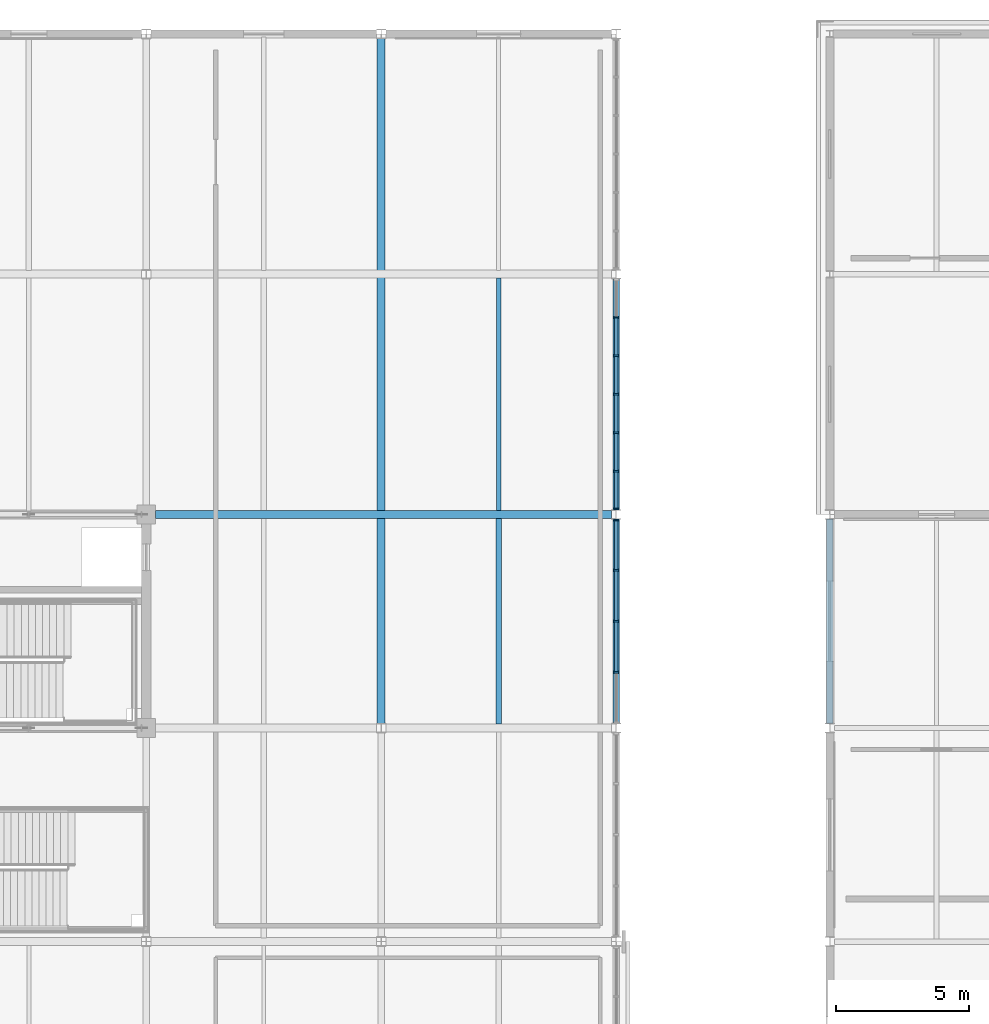
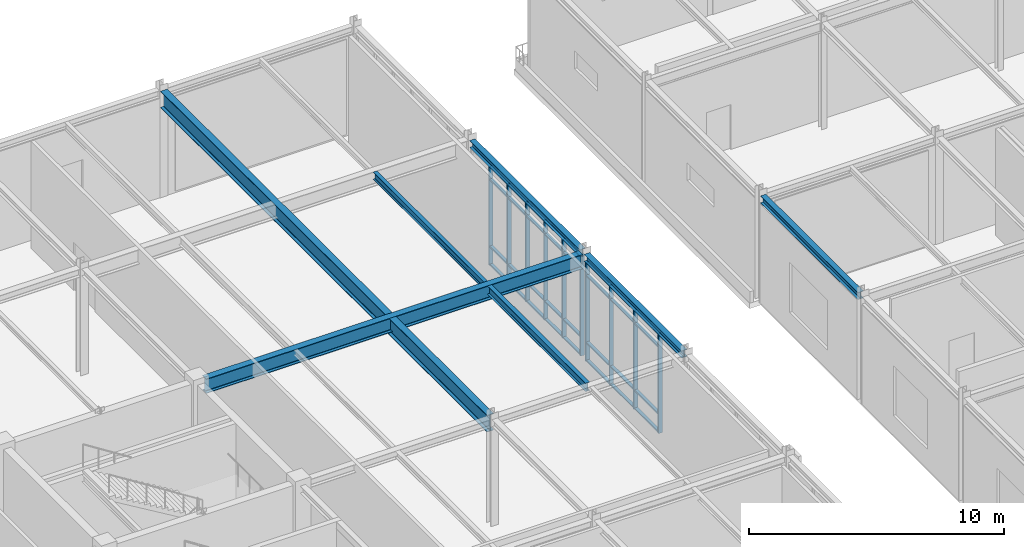
# One storey, part 42 of 108: 42 members, 7 beams, 2 elements without a shape of their own.
"""IFC4 building model written with IfcOpenShell, lengths in metres."""

from ifc_helpers import new_model, si_unit, direction, frame, origin, origin_2d, place, context, subcontext, project, spatial, rectangle, i_section, extrude, material, material_profile, profile_set, type_object, element, aggregate, save


model = new_model("IFC4")

# Units and contexts
model_context = context("Model", 3, precision=1e-05, world=origin(), true_north=direction((0.0, 1.0)))
body_context = subcontext(model_context, "Body", "Model", "MODEL_VIEW")
ifc_project = project(units=[si_unit("LENGTHUNIT", "METRE"), si_unit("AREAUNIT", "SQUARE_METRE"), si_unit("VOLUMEUNIT", "CUBIC_METRE"), si_unit("PLANEANGLEUNIT", "RADIAN"), si_unit("MASSUNIT", "GRAM", prefix="KILO")], contexts=[model_context])

# Site, building, storey
site_placement = place(None, origin())
site = spatial("IfcSite", under=ifc_project, at=site_placement, CompositionType="ELEMENT")
building_placement = place(site_placement, origin())
building = spatial("IfcBuilding", under=site, at=building_placement, Name="Zhaolan Boulevard Law Courts", CompositionType="ELEMENT")
storey_placement = place(building_placement, frame((0.0, 0.0, 10.800048828125)))
storey = spatial("IfcBuildingStorey", under=building, at=storey_placement, Name="L02", CompositionType="ELEMENT", Elevation=10.800048828125)

# Curtain wall, members
ifc_material_1 = material(Name="Thermally broken aluminium and low-E glazing", Category="aluminium")
curtain_wall_type_1 = type_object("IfcCurtainWallType", Name="CURTAIN WALL M24", PredefinedType="USERDEFINED", material=ifc_material_1)
curtain_wall_1_placement = place(storey_placement, origin())
curtain_wall_1 = element("IfcCurtainWall", 1, at=curtain_wall_1_placement, inside=storey, type_object=curtain_wall_type_1, Name="Curtain Wall CW-L02-120", ObjectType="CURTAIN WALL", PredefinedType="USERDEFINED")
ifc_material_2 = material(Name="Fluorocarbon-coated aluminium 6063-T6", Category="aluminium")
ifc_material_profile_1 = material_profile(ifc_material_2, rectangle(XDim=0.179931640625, YDim=0.06494140625, at=origin_2d()), Name="AL65x180")
ifc_profile_set_1 = profile_set([ifc_material_profile_1], Name="Fluorocarbon-coated aluminium 6063-T6")
member_type_1 = type_object("IfcMemberType", Name="CWMULLION 65X180", PredefinedType="MULLION", material=ifc_profile_set_1)
member_1_placement = place(storey_placement, frame((44.0, 88.08837890625, 0.0), z_axis=(0.0, 0.0, 1.0), x_axis=(-1.0, 0.0, 0.0)))
member_1 = element("IfcMember", 2, at=member_1_placement, type_object=member_type_1, Name="CW-L02-120 mullion 2", PredefinedType="MULLION", context=body_context, shape_type="SweptSolid", body=[
    extrude(rectangle(XDim=0.179931640625, YDim=0.06494140625, at=origin_2d()), origin(), (0.0, 0.0, 1.0), 4.762939453125),
])
member_2_placement = place(storey_placement, frame((44.0, 90.0, 0.0), z_axis=(0.0, 0.0, 1.0), x_axis=(-1.0, 0.0, 0.0)))
member_2 = element("IfcMember", 3, at=member_2_placement, type_object=member_type_1, Name="CW-L02-120 mullion 3", PredefinedType="MULLION", context=body_context, shape_type="SweptSolid", body=[
    extrude(rectangle(XDim=0.179931640625, YDim=0.06494140625, at=origin_2d()), origin(), (0.0, 0.0, 1.0), 4.762939453125),
])
member_3_placement = place(storey_placement, frame((44.0, 91.91162109375, 0.0), z_axis=(0.0, 0.0, 1.0), x_axis=(-1.0, 0.0, 0.0)))
member_3 = element("IfcMember", 4, at=member_3_placement, type_object=member_type_1, Name="CW-L02-120 mullion 4", PredefinedType="MULLION", context=body_context, shape_type="SweptSolid", body=[
    extrude(rectangle(XDim=0.179931640625, YDim=0.06494140625, at=origin_2d()), origin(), (0.0, 0.0, 1.0), 4.762939453125),
])
member_4_placement = place(storey_placement, frame((44.0, 93.79052734375, 0.0), z_axis=(0.0, 0.0, 1.0), x_axis=(-1.0, 0.0, 0.0)))
member_4 = element("IfcMember", 5, at=member_4_placement, type_object=member_type_1, Name="CW-L02-120 mullion 5", PredefinedType="MULLION", context=body_context, shape_type="SweptSolid", body=[
    extrude(rectangle(XDim=0.179931640625, YDim=0.06494140625, at=origin_2d()), origin(), (0.0, 0.0, 1.0), 4.762939453125),
])

ifc_material_3 = material(Name="Thermally broken aluminium and low-E glazing", Category="aluminium")
curtain_wall_type_2 = type_object("IfcCurtainWallType", Name="CURTAIN WALL M1", PredefinedType="USERDEFINED", material=ifc_material_3)
curtain_wall_2_placement = place(storey_placement, origin())
curtain_wall_2 = element("IfcCurtainWall", 6, at=curtain_wall_2_placement, inside=storey, type_object=curtain_wall_type_2, Name="Curtain Wall CW-L02-121", ObjectType="CURTAIN WALL", PredefinedType="USERDEFINED")
member_5_placement = place(storey_placement, frame((44.0, 94.20947265625, 0.0), z_axis=(0.0, 0.0, 1.0), x_axis=(-1.0, 0.0, 0.0)))
member_5 = element("IfcMember", 7, at=member_5_placement, type_object=member_type_1, Name="CW-L02-121 mullion 1", PredefinedType="MULLION", context=body_context, shape_type="SweptSolid", body=[
    extrude(rectangle(XDim=0.179931640625, YDim=0.06494140625, at=origin_2d()), origin(), (0.0, 0.0, 1.0), 4.762939453125),
])
member_6_placement = place(storey_placement, frame((44.0, 95.617919921875, 0.0), z_axis=(0.0, 0.0, 1.0), x_axis=(-1.0, 0.0, 0.0)))
member_6 = element("IfcMember", 8, at=member_6_placement, type_object=member_type_1, Name="CW-L02-121 mullion 2", PredefinedType="MULLION", context=body_context, shape_type="SweptSolid", body=[
    extrude(rectangle(XDim=0.179931640625, YDim=0.06494140625, at=origin_2d()), origin(), (0.0, 0.0, 1.0), 4.762939453125),
])
member_7_placement = place(storey_placement, frame((44.0, 97.05908203125, 0.0), z_axis=(0.0, 0.0, 1.0), x_axis=(-1.0, 0.0, 0.0)))
member_7 = element("IfcMember", 9, at=member_7_placement, type_object=member_type_1, Name="CW-L02-121 mullion 3", PredefinedType="MULLION", context=body_context, shape_type="SweptSolid", body=[
    extrude(rectangle(XDim=0.179931640625, YDim=0.06494140625, at=origin_2d()), origin(), (0.0, 0.0, 1.0), 4.762939453125),
])
member_8_placement = place(storey_placement, frame((44.0, 98.5, 0.0), z_axis=(0.0, 0.0, 1.0), x_axis=(-1.0, 0.0, 0.0)))
member_8 = element("IfcMember", 10, at=member_8_placement, type_object=member_type_1, Name="CW-L02-121 mullion 4", PredefinedType="MULLION", context=body_context, shape_type="SweptSolid", body=[
    extrude(rectangle(XDim=0.179931640625, YDim=0.06494140625, at=origin_2d()), origin(), (0.0, 0.0, 1.0), 4.762939453125),
])
member_9_placement = place(storey_placement, frame((44.0, 99.94091796875, 0.0), z_axis=(0.0, 0.0, 1.0), x_axis=(-1.0, 0.0, 0.0)))
member_9 = element("IfcMember", 11, at=member_9_placement, type_object=member_type_1, Name="CW-L02-121 mullion 5", PredefinedType="MULLION", context=body_context, shape_type="SweptSolid", body=[
    extrude(rectangle(XDim=0.179931640625, YDim=0.06494140625, at=origin_2d()), origin(), (0.0, 0.0, 1.0), 4.762939453125),
])
member_10_placement = place(storey_placement, frame((44.0, 101.382080078125, 0.0), z_axis=(0.0, 0.0, 1.0), x_axis=(-1.0, 0.0, 0.0)))
member_10 = element("IfcMember", 12, at=member_10_placement, type_object=member_type_1, Name="CW-L02-121 mullion 6", PredefinedType="MULLION", context=body_context, shape_type="SweptSolid", body=[
    extrude(rectangle(XDim=0.179931640625, YDim=0.06494140625, at=origin_2d()), origin(), (0.0, 0.0, 1.0), 4.762939453125),
])

# Member
ifc_material_4 = material(Name="Fluorocarbon-coated aluminium 6063-T6", Category="aluminium")
ifc_material_profile_2 = material_profile(ifc_material_4, rectangle(XDim=0.139892578125, YDim=0.06494140625, at=origin_2d()), Name="AL65x140")
ifc_profile_set_2 = profile_set([ifc_material_profile_2], Name="Fluorocarbon-coated aluminium 6063-T6")
member_type_2 = type_object("IfcMemberType", Name="CWTRANSOM 65X140", PredefinedType="USERDEFINED", material=ifc_profile_set_2)
member_11_placement = place(storey_placement, frame((44.0, 88.12109375, 0.032470703125), z_axis=(0.0, 1.0, 0.0), x_axis=(-1.0, 0.0, 0.0)))
member_11 = element("IfcMember", 13, at=member_11_placement, type_object=member_type_2, Name="CW-L02-120 transom 2.1", ObjectType="TRANSOM", PredefinedType="USERDEFINED", context=body_context, shape_type="SweptSolid", body=[
    extrude(rectangle(XDim=0.139892578125, YDim=0.06494140625, at=origin_2d()), origin(), (0.0, 0.0, 1.0), 1.846435546875),
])

member_12_placement = place(storey_placement, frame((44.0, 88.12109375, 0.89990234375), z_axis=(0.0, 1.0, 0.0), x_axis=(-1.0, 0.0, 0.0)))
member_12 = element("IfcMember", 14, at=member_12_placement, type_object=member_type_2, Name="CW-L02-120 transom 2.2", ObjectType="TRANSOM", PredefinedType="USERDEFINED", context=body_context, shape_type="SweptSolid", body=[
    extrude(rectangle(XDim=0.139892578125, YDim=0.06494140625, at=origin_2d()), origin(), (0.0, 0.0, 1.0), 1.846435546875),
])

member_13_placement = place(storey_placement, frame((44.0, 88.12109375, 4.113037109375), z_axis=(0.0, 1.0, 0.0), x_axis=(-1.0, 0.0, 0.0)))
member_13 = element("IfcMember", 15, at=member_13_placement, type_object=member_type_2, Name="CW-L02-120 transom 2.3", ObjectType="TRANSOM", PredefinedType="USERDEFINED", context=body_context, shape_type="SweptSolid", body=[
    extrude(rectangle(XDim=0.139892578125, YDim=0.06494140625, at=origin_2d()), origin(), (0.0, 0.0, 1.0), 1.846435546875),
])

member_14_placement = place(storey_placement, frame((44.0, 88.12109375, 4.73046875), z_axis=(0.0, 1.0, 0.0), x_axis=(-1.0, 0.0, 0.0)))
member_14 = element("IfcMember", 16, at=member_14_placement, type_object=member_type_2, Name="CW-L02-120 transom 2.4", ObjectType="TRANSOM", PredefinedType="USERDEFINED", context=body_context, shape_type="SweptSolid", body=[
    extrude(rectangle(XDim=0.139892578125, YDim=0.06494140625, at=origin_2d()), origin(), (0.0, 0.0, 1.0), 1.846435546875),
])

member_15_placement = place(storey_placement, frame((44.0, 90.032470703125, 0.032470703125), z_axis=(0.0, 1.0, 0.0), x_axis=(-1.0, 0.0, 0.0)))
member_15 = element("IfcMember", 17, at=member_15_placement, type_object=member_type_2, Name="CW-L02-120 transom 3.1", ObjectType="TRANSOM", PredefinedType="USERDEFINED", context=body_context, shape_type="SweptSolid", body=[
    extrude(rectangle(XDim=0.139892578125, YDim=0.06494140625, at=origin_2d()), origin(), (0.0, 0.0, 1.0), 1.846435546875),
])

member_16_placement = place(storey_placement, frame((44.0, 90.032470703125, 0.89990234375), z_axis=(0.0, 1.0, 0.0), x_axis=(-1.0, 0.0, 0.0)))
member_16 = element("IfcMember", 18, at=member_16_placement, type_object=member_type_2, Name="CW-L02-120 transom 3.2", ObjectType="TRANSOM", PredefinedType="USERDEFINED", context=body_context, shape_type="SweptSolid", body=[
    extrude(rectangle(XDim=0.139892578125, YDim=0.06494140625, at=origin_2d()), origin(), (0.0, 0.0, 1.0), 1.846435546875),
])

member_17_placement = place(storey_placement, frame((44.0, 90.032470703125, 4.113037109375), z_axis=(0.0, 1.0, 0.0), x_axis=(-1.0, 0.0, 0.0)))
member_17 = element("IfcMember", 19, at=member_17_placement, type_object=member_type_2, Name="CW-L02-120 transom 3.3", ObjectType="TRANSOM", PredefinedType="USERDEFINED", context=body_context, shape_type="SweptSolid", body=[
    extrude(rectangle(XDim=0.139892578125, YDim=0.06494140625, at=origin_2d()), origin(), (0.0, 0.0, 1.0), 1.846435546875),
])

member_18_placement = place(storey_placement, frame((44.0, 90.032470703125, 4.73046875), z_axis=(0.0, 1.0, 0.0), x_axis=(-1.0, 0.0, 0.0)))
member_18 = element("IfcMember", 20, at=member_18_placement, type_object=member_type_2, Name="CW-L02-120 transom 3.4", ObjectType="TRANSOM", PredefinedType="USERDEFINED", context=body_context, shape_type="SweptSolid", body=[
    extrude(rectangle(XDim=0.139892578125, YDim=0.06494140625, at=origin_2d()), origin(), (0.0, 0.0, 1.0), 1.846435546875),
])

member_19_placement = place(storey_placement, frame((44.0, 91.944091796875, 0.032470703125), z_axis=(0.0, 1.0, 0.0), x_axis=(-1.0, 0.0, 0.0)))
member_19 = element("IfcMember", 21, at=member_19_placement, type_object=member_type_2, Name="CW-L02-120 transom 4.1", ObjectType="TRANSOM", PredefinedType="USERDEFINED", context=body_context, shape_type="SweptSolid", body=[
    extrude(rectangle(XDim=0.139892578125, YDim=0.06494140625, at=origin_2d()), origin(), (0.0, 0.0, 1.0), 1.81396484375),
])

member_20_placement = place(storey_placement, frame((44.0, 91.944091796875, 0.89990234375), z_axis=(0.0, 1.0, 0.0), x_axis=(-1.0, 0.0, 0.0)))
member_20 = element("IfcMember", 22, at=member_20_placement, type_object=member_type_2, Name="CW-L02-120 transom 4.2", ObjectType="TRANSOM", PredefinedType="USERDEFINED", context=body_context, shape_type="SweptSolid", body=[
    extrude(rectangle(XDim=0.139892578125, YDim=0.06494140625, at=origin_2d()), origin(), (0.0, 0.0, 1.0), 1.81396484375),
])

member_21_placement = place(storey_placement, frame((44.0, 91.944091796875, 4.113037109375), z_axis=(0.0, 1.0, 0.0), x_axis=(-1.0, 0.0, 0.0)))
member_21 = element("IfcMember", 23, at=member_21_placement, type_object=member_type_2, Name="CW-L02-120 transom 4.3", ObjectType="TRANSOM", PredefinedType="USERDEFINED", context=body_context, shape_type="SweptSolid", body=[
    extrude(rectangle(XDim=0.139892578125, YDim=0.06494140625, at=origin_2d()), origin(), (0.0, 0.0, 1.0), 1.81396484375),
])

member_22_placement = place(storey_placement, frame((44.0, 91.944091796875, 4.73046875), z_axis=(0.0, 1.0, 0.0), x_axis=(-1.0, 0.0, 0.0)))
member_22 = element("IfcMember", 24, at=member_22_placement, type_object=member_type_2, Name="CW-L02-120 transom 4.4", ObjectType="TRANSOM", PredefinedType="USERDEFINED", context=body_context, shape_type="SweptSolid", body=[
    extrude(rectangle(XDim=0.139892578125, YDim=0.06494140625, at=origin_2d()), origin(), (0.0, 0.0, 1.0), 1.81396484375),
])

aggregate(curtain_wall_1, [member_1, member_2, member_3, member_4, member_11, member_12, member_13, member_14, member_15, member_16, member_17, member_18, member_19, member_20, member_21, member_22])

member_23_placement = place(storey_placement, frame((44.0, 94.241943359375, 0.032470703125), z_axis=(0.0, 1.0, 0.0), x_axis=(-1.0, 0.0, 0.0)))
member_23 = element("IfcMember", 25, at=member_23_placement, type_object=member_type_2, Name="CW-L02-121 transom 1.1", ObjectType="TRANSOM", PredefinedType="USERDEFINED", context=body_context, shape_type="SweptSolid", body=[
    extrude(rectangle(XDim=0.139892578125, YDim=0.06494140625, at=origin_2d()), origin(), (0.0, 0.0, 1.0), 1.343505859375),
])

member_24_placement = place(storey_placement, frame((44.0, 94.241943359375, 0.89990234375), z_axis=(0.0, 1.0, 0.0), x_axis=(-1.0, 0.0, 0.0)))
member_24 = element("IfcMember", 26, at=member_24_placement, type_object=member_type_2, Name="CW-L02-121 transom 1.2", ObjectType="TRANSOM", PredefinedType="USERDEFINED", context=body_context, shape_type="SweptSolid", body=[
    extrude(rectangle(XDim=0.139892578125, YDim=0.06494140625, at=origin_2d()), origin(), (0.0, 0.0, 1.0), 1.343505859375),
])

member_25_placement = place(storey_placement, frame((44.0, 94.241943359375, 4.113037109375), z_axis=(0.0, 1.0, 0.0), x_axis=(-1.0, 0.0, 0.0)))
member_25 = element("IfcMember", 27, at=member_25_placement, type_object=member_type_2, Name="CW-L02-121 transom 1.3", ObjectType="TRANSOM", PredefinedType="USERDEFINED", context=body_context, shape_type="SweptSolid", body=[
    extrude(rectangle(XDim=0.139892578125, YDim=0.06494140625, at=origin_2d()), origin(), (0.0, 0.0, 1.0), 1.343505859375),
])

member_26_placement = place(storey_placement, frame((44.0, 94.241943359375, 4.73046875), z_axis=(0.0, 1.0, 0.0), x_axis=(-1.0, 0.0, 0.0)))
member_26 = element("IfcMember", 28, at=member_26_placement, type_object=member_type_2, Name="CW-L02-121 transom 1.4", ObjectType="TRANSOM", PredefinedType="USERDEFINED", context=body_context, shape_type="SweptSolid", body=[
    extrude(rectangle(XDim=0.139892578125, YDim=0.06494140625, at=origin_2d()), origin(), (0.0, 0.0, 1.0), 1.343505859375),
])

member_27_placement = place(storey_placement, frame((44.0, 95.650390625, 0.032470703125), z_axis=(0.0, 1.0, 0.0), x_axis=(-1.0, 0.0, 0.0)))
member_27 = element("IfcMember", 29, at=member_27_placement, type_object=member_type_2, Name="CW-L02-121 transom 2.1", ObjectType="TRANSOM", PredefinedType="USERDEFINED", context=body_context, shape_type="SweptSolid", body=[
    extrude(rectangle(XDim=0.139892578125, YDim=0.06494140625, at=origin_2d()), origin(), (0.0, 0.0, 1.0), 1.376220703125),
])

member_28_placement = place(storey_placement, frame((44.0, 95.650390625, 0.89990234375), z_axis=(0.0, 1.0, 0.0), x_axis=(-1.0, 0.0, 0.0)))
member_28 = element("IfcMember", 30, at=member_28_placement, type_object=member_type_2, Name="CW-L02-121 transom 2.2", ObjectType="TRANSOM", PredefinedType="USERDEFINED", context=body_context, shape_type="SweptSolid", body=[
    extrude(rectangle(XDim=0.139892578125, YDim=0.06494140625, at=origin_2d()), origin(), (0.0, 0.0, 1.0), 1.376220703125),
])

member_29_placement = place(storey_placement, frame((44.0, 95.650390625, 4.113037109375), z_axis=(0.0, 1.0, 0.0), x_axis=(-1.0, 0.0, 0.0)))
member_29 = element("IfcMember", 31, at=member_29_placement, type_object=member_type_2, Name="CW-L02-121 transom 2.3", ObjectType="TRANSOM", PredefinedType="USERDEFINED", context=body_context, shape_type="SweptSolid", body=[
    extrude(rectangle(XDim=0.139892578125, YDim=0.06494140625, at=origin_2d()), origin(), (0.0, 0.0, 1.0), 1.376220703125),
])

member_30_placement = place(storey_placement, frame((44.0, 95.650390625, 4.73046875), z_axis=(0.0, 1.0, 0.0), x_axis=(-1.0, 0.0, 0.0)))
member_30 = element("IfcMember", 32, at=member_30_placement, type_object=member_type_2, Name="CW-L02-121 transom 2.4", ObjectType="TRANSOM", PredefinedType="USERDEFINED", context=body_context, shape_type="SweptSolid", body=[
    extrude(rectangle(XDim=0.139892578125, YDim=0.06494140625, at=origin_2d()), origin(), (0.0, 0.0, 1.0), 1.376220703125),
])

member_31_placement = place(storey_placement, frame((44.0, 97.091552734375, 0.032470703125), z_axis=(0.0, 1.0, 0.0), x_axis=(-1.0, 0.0, 0.0)))
member_31 = element("IfcMember", 33, at=member_31_placement, type_object=member_type_2, Name="CW-L02-121 transom 3.1", ObjectType="TRANSOM", PredefinedType="USERDEFINED", context=body_context, shape_type="SweptSolid", body=[
    extrude(rectangle(XDim=0.139892578125, YDim=0.06494140625, at=origin_2d()), origin(), (0.0, 0.0, 1.0), 1.3759765625),
])

member_32_placement = place(storey_placement, frame((44.0, 97.091552734375, 0.89990234375), z_axis=(0.0, 1.0, 0.0), x_axis=(-1.0, 0.0, 0.0)))
member_32 = element("IfcMember", 34, at=member_32_placement, type_object=member_type_2, Name="CW-L02-121 transom 3.2", ObjectType="TRANSOM", PredefinedType="USERDEFINED", context=body_context, shape_type="SweptSolid", body=[
    extrude(rectangle(XDim=0.139892578125, YDim=0.06494140625, at=origin_2d()), origin(), (0.0, 0.0, 1.0), 1.3759765625),
])

member_33_placement = place(storey_placement, frame((44.0, 97.091552734375, 4.113037109375), z_axis=(0.0, 1.0, 0.0), x_axis=(-1.0, 0.0, 0.0)))
member_33 = element("IfcMember", 35, at=member_33_placement, type_object=member_type_2, Name="CW-L02-121 transom 3.3", ObjectType="TRANSOM", PredefinedType="USERDEFINED", context=body_context, shape_type="SweptSolid", body=[
    extrude(rectangle(XDim=0.139892578125, YDim=0.06494140625, at=origin_2d()), origin(), (0.0, 0.0, 1.0), 1.3759765625),
])

member_34_placement = place(storey_placement, frame((44.0, 97.091552734375, 4.73046875), z_axis=(0.0, 1.0, 0.0), x_axis=(-1.0, 0.0, 0.0)))
member_34 = element("IfcMember", 36, at=member_34_placement, type_object=member_type_2, Name="CW-L02-121 transom 3.4", ObjectType="TRANSOM", PredefinedType="USERDEFINED", context=body_context, shape_type="SweptSolid", body=[
    extrude(rectangle(XDim=0.139892578125, YDim=0.06494140625, at=origin_2d()), origin(), (0.0, 0.0, 1.0), 1.3759765625),
])

member_35_placement = place(storey_placement, frame((44.0, 98.532470703125, 0.032470703125), z_axis=(0.0, 1.0, 0.0), x_axis=(-1.0, 0.0, 0.0)))
member_35 = element("IfcMember", 37, at=member_35_placement, type_object=member_type_2, Name="CW-L02-121 transom 4.1", ObjectType="TRANSOM", PredefinedType="USERDEFINED", context=body_context, shape_type="SweptSolid", body=[
    extrude(rectangle(XDim=0.139892578125, YDim=0.06494140625, at=origin_2d()), origin(), (0.0, 0.0, 1.0), 1.3759765625),
])

member_36_placement = place(storey_placement, frame((44.0, 98.532470703125, 0.89990234375), z_axis=(0.0, 1.0, 0.0), x_axis=(-1.0, 0.0, 0.0)))
member_36 = element("IfcMember", 38, at=member_36_placement, type_object=member_type_2, Name="CW-L02-121 transom 4.2", ObjectType="TRANSOM", PredefinedType="USERDEFINED", context=body_context, shape_type="SweptSolid", body=[
    extrude(rectangle(XDim=0.139892578125, YDim=0.06494140625, at=origin_2d()), origin(), (0.0, 0.0, 1.0), 1.3759765625),
])

member_37_placement = place(storey_placement, frame((44.0, 98.532470703125, 4.113037109375), z_axis=(0.0, 1.0, 0.0), x_axis=(-1.0, 0.0, 0.0)))
member_37 = element("IfcMember", 39, at=member_37_placement, type_object=member_type_2, Name="CW-L02-121 transom 4.3", ObjectType="TRANSOM", PredefinedType="USERDEFINED", context=body_context, shape_type="SweptSolid", body=[
    extrude(rectangle(XDim=0.139892578125, YDim=0.06494140625, at=origin_2d()), origin(), (0.0, 0.0, 1.0), 1.3759765625),
])

member_38_placement = place(storey_placement, frame((44.0, 98.532470703125, 4.73046875), z_axis=(0.0, 1.0, 0.0), x_axis=(-1.0, 0.0, 0.0)))
member_38 = element("IfcMember", 40, at=member_38_placement, type_object=member_type_2, Name="CW-L02-121 transom 4.4", ObjectType="TRANSOM", PredefinedType="USERDEFINED", context=body_context, shape_type="SweptSolid", body=[
    extrude(rectangle(XDim=0.139892578125, YDim=0.06494140625, at=origin_2d()), origin(), (0.0, 0.0, 1.0), 1.3759765625),
])

member_39_placement = place(storey_placement, frame((44.0, 99.973388671875, 0.032470703125), z_axis=(0.0, 1.0, 0.0), x_axis=(-1.0, 0.0, 0.0)))
member_39 = element("IfcMember", 41, at=member_39_placement, type_object=member_type_2, Name="CW-L02-121 transom 5.1", ObjectType="TRANSOM", PredefinedType="USERDEFINED", context=body_context, shape_type="SweptSolid", body=[
    extrude(rectangle(XDim=0.139892578125, YDim=0.06494140625, at=origin_2d()), origin(), (0.0, 0.0, 1.0), 1.376220703125),
])

member_40_placement = place(storey_placement, frame((44.0, 99.973388671875, 0.89990234375), z_axis=(0.0, 1.0, 0.0), x_axis=(-1.0, 0.0, 0.0)))
member_40 = element("IfcMember", 42, at=member_40_placement, type_object=member_type_2, Name="CW-L02-121 transom 5.2", ObjectType="TRANSOM", PredefinedType="USERDEFINED", context=body_context, shape_type="SweptSolid", body=[
    extrude(rectangle(XDim=0.139892578125, YDim=0.06494140625, at=origin_2d()), origin(), (0.0, 0.0, 1.0), 1.376220703125),
])

member_41_placement = place(storey_placement, frame((44.0, 99.973388671875, 4.113037109375), z_axis=(0.0, 1.0, 0.0), x_axis=(-1.0, 0.0, 0.0)))
member_41 = element("IfcMember", 43, at=member_41_placement, type_object=member_type_2, Name="CW-L02-121 transom 5.3", ObjectType="TRANSOM", PredefinedType="USERDEFINED", context=body_context, shape_type="SweptSolid", body=[
    extrude(rectangle(XDim=0.139892578125, YDim=0.06494140625, at=origin_2d()), origin(), (0.0, 0.0, 1.0), 1.376220703125),
])

member_42_placement = place(storey_placement, frame((44.0, 99.973388671875, 4.73046875), z_axis=(0.0, 1.0, 0.0), x_axis=(-1.0, 0.0, 0.0)))
member_42 = element("IfcMember", 44, at=member_42_placement, type_object=member_type_2, Name="CW-L02-121 transom 5.4", ObjectType="TRANSOM", PredefinedType="USERDEFINED", context=body_context, shape_type="SweptSolid", body=[
    extrude(rectangle(XDim=0.139892578125, YDim=0.06494140625, at=origin_2d()), origin(), (0.0, 0.0, 1.0), 1.376220703125),
])

aggregate(curtain_wall_2, [member_5, member_6, member_7, member_8, member_9, member_10, member_23, member_24, member_25, member_26, member_27, member_28, member_29, member_30, member_31, member_32, member_33, member_34, member_35, member_36, member_37, member_38, member_39, member_40, member_41, member_42])

# Beams
ifc_material_5 = material(Name="Structural steel Q355B", Category="steel")
ifc_material_profile_3 = material_profile(ifc_material_5, i_section(OverallWidth=0.25, OverallDepth=0.340087890625, WebThickness=0.009033203125, FlangeThickness=0.013916015625, FilletRadius=0.01611328125, at=origin_2d()), Name="HM340x250")
ifc_profile_set_3 = profile_set([ifc_material_profile_3], Name="Structural steel Q355B")
beam_type_1 = type_object("IfcBeamType", Name="GIRDER HM340", PredefinedType="BEAM", material=ifc_profile_set_3)
beam_1_placement = place(storey_placement, frame((44.0, 86.1708984375, 4.947998046875), z_axis=(0.0, 1.0, 0.0), x_axis=(-1.0, 0.0, 0.0)))
element("IfcBeam", 45, at=beam_1_placement, inside=storey, type_object=beam_type_1, Name="Beam BY-L03-6-M-N", PredefinedType="BEAM", context=body_context, shape_type="SweptSolid", body=[
    extrude(i_section(OverallWidth=0.25, OverallDepth=0.340087890625, WebThickness=0.009033203125, FlangeThickness=0.013916015625, FilletRadius=0.01611328125, at=origin_2d()), origin(), (0.0, 0.0, 1.0), 7.658203125),
])
beam_2_placement = place(storey_placement, frame((44.0, 94.1708984375, 4.947998046875), z_axis=(0.0, 1.0, 0.0), x_axis=(-1.0, 0.0, 0.0)))
element("IfcBeam", 46, at=beam_2_placement, inside=storey, type_object=beam_type_1, Name="Beam BY-L03-6-N-P", PredefinedType="BEAM", context=body_context, shape_type="SweptSolid", body=[
    extrude(i_section(OverallWidth=0.25, OverallDepth=0.340087890625, WebThickness=0.009033203125, FlangeThickness=0.013916015625, FilletRadius=0.01611328125, at=origin_2d()), origin(), (0.0, 0.0, 1.0), 8.658203125),
])
beam_3_placement = place(storey_placement, frame((52.0, 86.1708984375, 4.947998046875), z_axis=(0.0, 1.0, 0.0), x_axis=(-1.0, 0.0, 0.0)))
element("IfcBeam", 47, at=beam_3_placement, inside=storey, type_object=beam_type_1, Name="Beam BY-L03-7-M-N", PredefinedType="BEAM", context=body_context, shape_type="SweptSolid", body=[
    extrude(i_section(OverallWidth=0.25, OverallDepth=0.340087890625, WebThickness=0.009033203125, FlangeThickness=0.013916015625, FilletRadius=0.01611328125, at=origin_2d()), origin(), (0.0, 0.0, 1.0), 7.658203125),
])
ifc_material_6 = material(Name="Structural steel Q390B", Category="steel")
ifc_material_profile_4 = material_profile(ifc_material_6, i_section(OverallWidth=0.300048828125, OverallDepth=0.699951171875, WebThickness=0.012939453125, FlangeThickness=0.02392578125, FilletRadius=0.02392578125, at=origin_2d()), Name="HN700x300")
ifc_profile_set_4 = profile_set([ifc_material_profile_4], Name="Structural steel Q390B")
beam_type_2 = type_object("IfcBeamType", Name="GIRDER HN700", PredefinedType="BEAM", material=ifc_profile_set_4)
beam_4_placement = place(storey_placement, frame((26.74609375, 94.0, 4.76806640625), z_axis=(1.0, 0.0, 0.0), x_axis=(0.0, 1.0, 0.0)))
element("IfcBeam", 48, at=beam_4_placement, inside=storey, type_object=beam_type_2, Name="Beam BX-L03-4-6-N", PredefinedType="BEAM", context=body_context, shape_type="SweptSolid", body=[
    extrude(i_section(OverallWidth=0.300048828125, OverallDepth=0.699951171875, WebThickness=0.012939453125, FlangeThickness=0.02392578125, FilletRadius=0.02392578125, at=origin_2d()), origin(), (0.0, 0.0, 1.0), 17.0830078125),
])
ifc_material_7 = material(Name="Structural steel Q390B", Category="steel")
ifc_material_profile_5 = material_profile(ifc_material_7, i_section(OverallWidth=0.300048828125, OverallDepth=0.800048828125, WebThickness=0.013916015625, FlangeThickness=0.02587890625, FilletRadius=0.02392578125, at=origin_2d()), Name="HN800x300")
ifc_profile_set_5 = profile_set([ifc_material_profile_5], Name="Structural steel Q390B")
beam_type_3 = type_object("IfcBeamType", Name="GIRDER HN800", PredefinedType="BEAM", material=ifc_profile_set_5)
beam_5_placement = place(storey_placement, frame((35.199951171875, 86.1708984375, 4.718017578125), z_axis=(0.0, 1.0, 0.0), x_axis=(-1.0, 0.0, 0.0)))
element("IfcBeam", 49, at=beam_5_placement, inside=storey, type_object=beam_type_3, Name="Beam BY-L03-5-M-Q", PredefinedType="BEAM", context=body_context, shape_type="SweptSolid", body=[
    extrude(i_section(OverallWidth=0.300048828125, OverallDepth=0.800048828125, WebThickness=0.013916015625, FlangeThickness=0.02587890625, FilletRadius=0.02392578125, at=origin_2d()), origin(), (0.0, 0.0, 1.0), 25.658203125),
])
ifc_material_8 = material(Name="Structural steel Q355B", Category="steel")
ifc_material_profile_6 = material_profile(ifc_material_8, i_section(OverallWidth=0.175048828125, OverallDepth=0.35009765625, WebThickness=0.007080078125, FlangeThickness=0.010986328125, FilletRadius=0.012939453125, at=origin_2d()), Name="HN350x175")
ifc_profile_set_6 = profile_set([ifc_material_profile_6], Name="Structural steel Q355B")
beam_type_4 = type_object("IfcBeamType", Name="JOIST HN350", PredefinedType="JOIST", material=ifc_profile_set_6)
beam_6_placement = place(storey_placement, frame((39.60009765625, 94.14599609375, 4.94287109375), z_axis=(0.0, 1.0, 0.0), x_axis=(-1.0, 0.0, 0.0)))
element("IfcBeam", 50, at=beam_6_placement, inside=storey, type_object=beam_type_4, Name="Composite Joist J-L03-5N", PredefinedType="JOIST", context=body_context, shape_type="SweptSolid", body=[
    extrude(i_section(OverallWidth=0.175048828125, OverallDepth=0.35009765625, WebThickness=0.007080078125, FlangeThickness=0.010986328125, FilletRadius=0.012939453125, at=origin_2d()), origin(), (0.0, 0.0, 1.0), 8.7080078125),
])
ifc_material_9 = material(Name="Structural steel Q355B", Category="steel")
ifc_material_profile_7 = material_profile(ifc_material_9, i_section(OverallWidth=0.199951171875, OverallDepth=0.39990234375, WebThickness=0.008056640625, FlangeThickness=0.012939453125, FilletRadius=0.013916015625, at=origin_2d()), Name="HN400x200")
ifc_profile_set_7 = profile_set([ifc_material_profile_7], Name="Structural steel Q355B")
beam_type_5 = type_object("IfcBeamType", Name="JOIST HN400", PredefinedType="JOIST", material=ifc_profile_set_7)
beam_7_placement = place(storey_placement, frame((39.60009765625, 86.14599609375, 4.91796875), z_axis=(0.0, 1.0, 0.0), x_axis=(-1.0, 0.0, 0.0)))
element("IfcBeam", 51, at=beam_7_placement, inside=storey, type_object=beam_type_5, Name="Composite Joist J-L03-5M", PredefinedType="JOIST", context=body_context, shape_type="SweptSolid", body=[
    extrude(i_section(OverallWidth=0.199951171875, OverallDepth=0.39990234375, WebThickness=0.008056640625, FlangeThickness=0.012939453125, FilletRadius=0.013916015625, at=origin_2d()), origin(), (0.0, 0.0, 1.0), 7.7080078125),
])

save(model, "model.ifc")
